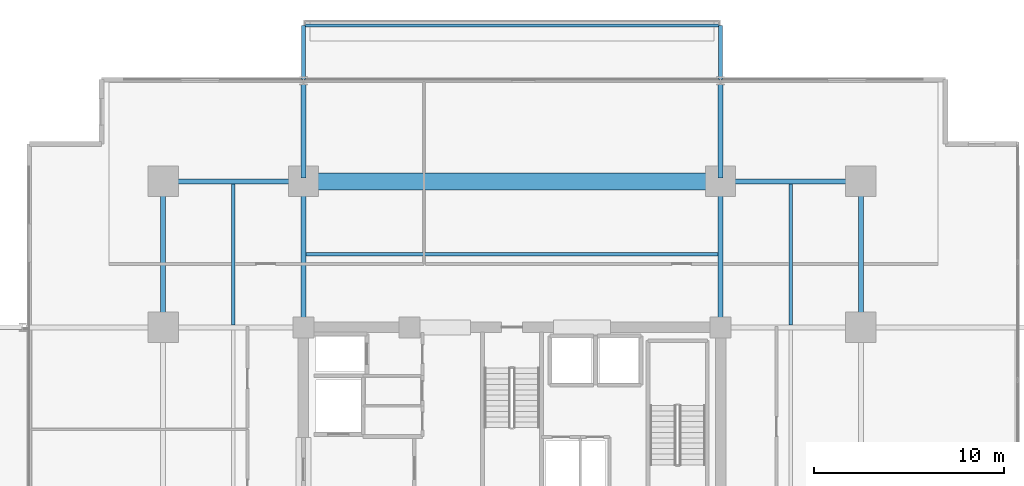
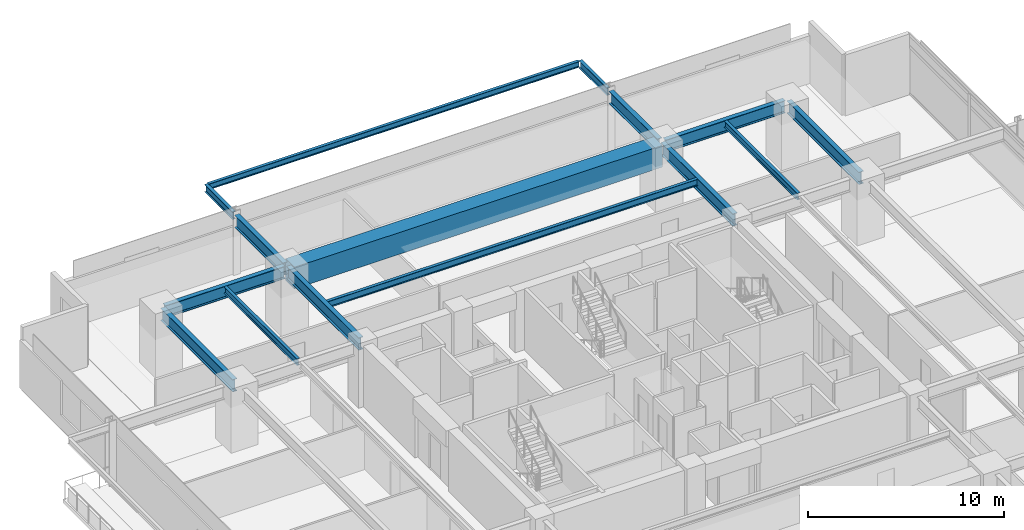
# One storey, part 10 of 20: 15 beams.
"""IFC4 building model written with IfcOpenShell, lengths in metres."""

import ifcopenshell
import ifcopenshell.guid

model = None  # the IFC model being written
_history = None  # IfcOwnerHistory: only IFC2X3 demands one
_inside = {}  # id of a spatial element -> (the spatial element, [elements in it])
_under = {}  # id of a project, library or spatial element -> (it, [spatial elements below it])
_declared = {}  # id of a project -> (the project, [libraries it declares])
_typed = {}  # id of a type object -> (the type object, [elements of that type])
_made_of = {}  # id of a material, layer set ... -> (it, [elements and type objects made of it])


def new_model(schema):
    """Start an empty IFC model of exactly this schema.

    Asked for "IFC4X3", IfcOpenShell would pick the latest addendum, in which some entities
    have other attributes; the version numbers below select the first issue.
    IFC2X3 requires an IfcOwnerHistory on every rooted entity: one is made here for all.
    """
    global model, _history
    if schema == "IFC4X3":
        model = ifcopenshell.file(schema_version=(4, 3, 0, 0))
    else:
        model = ifcopenshell.file(schema=schema)
    _inside.clear()
    _under.clear()
    _declared.clear()
    _typed.clear()
    _made_of.clear()
    _history = None
    if model.schema == "IFC2X3":
        org = make("IfcOrganization", Name="unknown")
        user = make(
            "IfcPersonAndOrganization",
            ThePerson=make("IfcPerson", FamilyName="unknown"),
            TheOrganization=org,
        )
        app = make(
            "IfcApplication",
            ApplicationDeveloper=org,
            Version="unknown",
            ApplicationFullName="unknown",
            ApplicationIdentifier="unknown",
        )
        _history = make(
            "IfcOwnerHistory",
            OwningUser=user,
            OwningApplication=app,
            ChangeAction="ADDED",
            CreationDate=0,
        )
    return model


def make(cls, **values):
    """One entity of the class cls with the attributes given. An attribute that is None is left unset."""
    return model.create_entity(
        cls, **{name: value for name, value in values.items() if value is not None}
    )


def rooted(cls, **values):
    """An entity with a GlobalId (a new one), such as an element, a storey or a relation."""
    return make(cls, GlobalId=ifcopenshell.guid.new(), OwnerHistory=_history, **values)


def si_unit(unit_type, name, prefix=None):
    """IfcSIUnit, for example si_unit("LENGTHUNIT", "METRE", prefix="MILLI")."""
    return make("IfcSIUnit", UnitType=unit_type, Prefix=prefix, Name=name)


def assignment(units):
    """IfcUnitAssignment: the units of a project."""
    return None if units is None else make("IfcUnitAssignment", Units=units)


def point(xyz):
    """IfcCartesianPoint."""
    return None if xyz is None else make("IfcCartesianPoint", Coordinates=xyz)


def direction(xyz):
    """IfcDirection."""
    return None if xyz is None else make("IfcDirection", DirectionRatios=xyz)


def frame(location, z_axis=None, x_axis=None):
    """IfcAxis2Placement3D, a coordinate frame: its origin and axes. An axis left out is left unset."""
    return make(
        "IfcAxis2Placement3D",
        Location=point(location),
        Axis=direction(z_axis),
        RefDirection=direction(x_axis),
    )


def frame_2d(location, x_axis=None):
    """IfcAxis2Placement2D, a coordinate frame in the plane: its origin and x axis."""
    return make(
        "IfcAxis2Placement2D", Location=point(location), RefDirection=direction(x_axis)
    )


def origin():
    """The frame at (0, 0, 0) with its axes left unset."""
    return frame((0.0, 0.0, 0.0))


def origin_2d():
    """The frame at (0, 0) in the plane with its x axis left unset."""
    return frame_2d((0.0, 0.0))


def place(relative_to, where):
    """IfcLocalPlacement: puts the frame where relative to a parent placement (None: the world)."""
    return make(
        "IfcLocalPlacement", PlacementRelTo=relative_to, RelativePlacement=where
    )


def context(
    kind, dimensions, precision=None, world=None, true_north=None, identifier=None
):
    """IfcGeometricRepresentationContext, for example the 3D "Model" context."""
    return make(
        "IfcGeometricRepresentationContext",
        ContextIdentifier=identifier,
        ContextType=kind,
        CoordinateSpaceDimension=dimensions,
        Precision=precision,
        WorldCoordinateSystem=world,
        TrueNorth=true_north,
    )


def subcontext(parent, identifier, kind, view, scale=None):
    """IfcGeometricRepresentationSubContext, for example "Body" below "Model"."""
    return make(
        "IfcGeometricRepresentationSubContext",
        ContextIdentifier=identifier,
        ContextType=kind,
        ParentContext=parent,
        TargetScale=scale,
        TargetView=view,
    )


def project(units=None, contexts=None):
    """IfcProject with its units and contexts."""
    return rooted(
        "IfcProject",
        Name="project",
        RepresentationContexts=contexts,
        UnitsInContext=assignment(units),
    )


def spatial(cls, under=None, at=None, **own):
    """A site, building, storey or space (cls), placed at a placement, below another one or the project."""
    s = rooted(cls, ObjectPlacement=at, **own)
    if under is not None:
        _under.setdefault(under.id(), (under, []))[1].append(s)
    return s


def profile(cls, at=None, kind="AREA", **sizes):
    """A parametric profile (cls). Its sizes go by their IFC names, for example OverallWidth=200.0."""
    return make(cls, ProfileType=kind, Position=at, **sizes)


def rectangle(**sizes):
    """IfcRectangleProfileDef."""
    return profile("IfcRectangleProfileDef", **sizes)


def i_section(**sizes):
    """IfcIShapeProfileDef."""
    return profile("IfcIShapeProfileDef", **sizes)


def extrude(swept, where, along, depth):
    """IfcExtrudedAreaSolid: the profile swept, set in the frame where, extruded along a direction by depth."""
    return make(
        "IfcExtrudedAreaSolid",
        SweptArea=swept,
        Position=where,
        ExtrudedDirection=direction(along),
        Depth=depth,
    )


def shape(context_of_items, identifier, shape_type, items):
    """IfcShapeRepresentation: the items that make up one representation, for example the "Body"."""
    return make(
        "IfcShapeRepresentation",
        ContextOfItems=context_of_items,
        RepresentationIdentifier=identifier,
        RepresentationType=shape_type,
        Items=items,
    )


def material(Name=None, Category=None):
    """IfcMaterial."""
    return make("IfcMaterial", Name=Name, Category=Category)


def material_profile(
    of_material, cross_section, Name=None, Category=None, Priority=None
):
    """IfcMaterialProfile: a cross section and its material."""
    return make(
        "IfcMaterialProfile",
        Name=Name,
        Material=of_material,
        Profile=cross_section,
        Priority=Priority,
        Category=Category,
    )


def profile_set(profiles, Name=None, composite=None):
    """IfcMaterialProfileSet."""
    return make(
        "IfcMaterialProfileSet",
        Name=Name,
        MaterialProfiles=profiles,
        CompositeProfile=composite,
    )


def made_of(thing, what):
    """Note that an element or type object is made of a material, layer set ...; save() writes the relation."""
    if what is not None:
        _made_of.setdefault(what.id(), (what, []))[1].append(thing)
    return thing


def type_object(cls, material=None, **own):
    """A type object (cls), such as IfcWallType, which elements share."""
    return made_of(rooted(cls, **own), material)


def element(
    cls,
    number,
    at=None,
    inside=None,
    cuts=None,
    type_object=None,
    material=None,
    context=None,
    identifier="Body",
    shape_type=None,
    held_by="IfcProductDefinitionShape",
    body=None,
    shapes=None,
    **own,
):
    """One element of the class cls, such as IfcWall. Its Tag is "e" and its number.

    at: its placement. inside: the storey or other place that contains it. cuts: it is an
    opening in that element (IfcRelVoidsElement). A single representation is given by context,
    identifier, shape_type and body (its items); several are given by shapes. held_by: the class
    of the entity that holds the representations. save() writes the other relations.
    """
    e = rooted(cls, Tag="e%d" % number, ObjectPlacement=at, **own)
    if body is not None:
        shapes = [shape(context, identifier, shape_type, body)]
    if shapes is not None:
        e.Representation = make(held_by, Representations=shapes)
    if inside is not None:
        _inside.setdefault(inside.id(), (inside, []))[1].append(e)
    if cuts is not None:
        rooted(
            "IfcRelVoidsElement", RelatingBuildingElement=cuts, RelatedOpeningElement=e
        )
    if type_object is not None:
        _typed.setdefault(type_object.id(), (type_object, []))[1].append(e)
    return made_of(e, material)


def aggregate(whole, parts):
    """IfcRelAggregates: a whole, such as a stair, and the parts it consists of."""
    return rooted("IfcRelAggregates", RelatingObject=whole, RelatedObjects=parts)


def save(model, path):
    """Write the relations noted so far, then the file.

    IfcRelAggregates (storeys below a building ...), IfcRelContainedInSpatialStructure (elements
    in a storey), IfcRelDefinesByType, IfcRelAssociatesMaterial and IfcRelDeclares: one each for
    every whole, place, type object, material and project.
    """
    for whole, parts in _under.values():
        aggregate(whole, parts)
    for where, things in _inside.values():
        rooted(
            "IfcRelContainedInSpatialStructure",
            RelatedElements=things,
            RelatingStructure=where,
        )
    for kind, things in _typed.values():
        rooted("IfcRelDefinesByType", RelatedObjects=things, RelatingType=kind)
    for what, things in _made_of.values():
        rooted("IfcRelAssociatesMaterial", RelatedObjects=things, RelatingMaterial=what)
    for by, libraries in _declared.values():
        rooted("IfcRelDeclares", RelatingContext=by, RelatedDefinitions=libraries)
    model.write(path)


model = new_model("IFC4")

# Units and contexts
model_context = context("Model", 3, precision=1e-05, world=origin(), true_north=direction((0.0, 1.0)))
body_context = subcontext(model_context, "Body", "Model", "MODEL_VIEW")
ifc_project = project(units=[si_unit("LENGTHUNIT", "METRE"), si_unit("AREAUNIT", "SQUARE_METRE"), si_unit("VOLUMEUNIT", "CUBIC_METRE"), si_unit("PLANEANGLEUNIT", "RADIAN"), si_unit("MASSUNIT", "GRAM", prefix="KILO")], contexts=[model_context])

# Site, building, storey
site_placement = place(None, origin())
site = spatial("IfcSite", under=ifc_project, at=site_placement, CompositionType="ELEMENT")
building_placement = place(site_placement, origin())
building = spatial("IfcBuilding", under=site, at=building_placement, Name="Kovane Verandah Tower", CompositionType="ELEMENT")
storey_placement = place(building_placement, frame((0.0, 0.0, 160.39990234375)))
storey = spatial("IfcBuildingStorey", under=building, at=storey_placement, Name="L37", CompositionType="ELEMENT", Elevation=160.39990234375)

# Beams
ifc_material_1 = material(Name="Concrete C80/95", Category="concrete")
ifc_material_profile_1 = material_profile(ifc_material_1, rectangle(XDim=0.89990234375, YDim=1.35009765625, at=origin_2d()), Name="RCB900x1350")
ifc_profile_set_1 = profile_set([ifc_material_profile_1], Name="Concrete C80/95")
beam_type_1 = type_object("IfcBeamType", Name="BM-TR-900x1350", PredefinedType="BEAM", material=ifc_profile_set_1)
beam_1_placement = place(storey_placement, frame((29.179931640625, 44.199951171875, 3.10009765625), z_axis=(1.0, 0.0, 0.0), x_axis=(0.0, 1.0, 0.0)))
element("IfcBeam", 1, at=beam_1_placement, inside=storey, type_object=beam_type_1, Name="L37 Primary Tower Girder G-RN2", PredefinedType="BEAM", context=body_context, shape_type="SweptSolid", body=[
    extrude(rectangle(XDim=0.89990234375, YDim=1.35009765625, at=origin_2d()), origin(), (0.0, 0.0, 1.0), 21.64013671875),
])
ifc_material_2 = material(Name="Steel S355", Category="steel")
ifc_material_profile_2 = material_profile(ifc_material_2, i_section(OverallWidth=0.26806640625, OverallDepth=0.769775390625, WebThickness=0.015625, FlangeThickness=0.025390625, FilletRadius=0.0166015625, at=origin_2d()), Name="UB762x267x197")
ifc_profile_set_2 = profile_set([ifc_material_profile_2], Name="Steel S355")
beam_type_2 = type_object("IfcBeamType", Name="BM-UB762x197", PredefinedType="BEAM", material=ifc_profile_set_2)
for number, where, z_axis, x_axis, name in (
    (2, (21.780029296875, 44.199951171875, 3.39013671875), (1.0, 0.0, 0.0), (0.0, 1.0, 0.0), "L37 Primary Tower Girder G-RN1"),
    (3, (51.179931640625, 44.199951171875, 3.39013671875), (1.0, 0.0, 0.0), (0.0, 1.0, 0.0), "L37 Primary Tower Girder G-RN3"),
):
    element("IfcBeam", number, at=place(storey_placement, frame(where, z_axis=z_axis, x_axis=x_axis)), inside=storey, type_object=beam_type_2, Name=name, PredefinedType="BEAM", context=body_context, shape_type="SweptSolid", body=[
        extrude(i_section(OverallWidth=0.26806640625, OverallDepth=0.769775390625, WebThickness=0.015625, FlangeThickness=0.025390625, FilletRadius=0.0166015625, at=origin_2d()), origin(), (0.0, 0.0, 1.0), 7.0400390625),
    ])
for number, where, z_axis, x_axis, name in (
    (4, (21.60009765625, 36.679931640625, 3.39013671875), (0.0, 1.0, 0.0), (-1.0, 0.0, 0.0), "L37 Primary Tower Girder G-RW3"),
    (5, (58.39990234375, 36.679931640625, 3.39013671875), (0.0, 1.0, 0.0), (-1.0, 0.0, 0.0), "L37 Primary Tower Girder G-RE3"),
    (6, (29.0, 36.679931640625, 3.39013671875), (0.0, 1.0, 0.0), (-1.0, 0.0, 0.0), "L37 Primary Tower Girder G-N1"),
    (7, (51.0, 36.679931640625, 3.39013671875), (0.0, 1.0, 0.0), (-1.0, 0.0, 0.0), "L37 Primary Tower Girder G-N2"),
):
    element("IfcBeam", number, at=place(storey_placement, frame(where, z_axis=z_axis, x_axis=x_axis)), inside=storey, type_object=beam_type_2, Name=name, PredefinedType="BEAM", context=body_context, shape_type="SweptSolid", body=[
        extrude(i_section(OverallWidth=0.26806640625, OverallDepth=0.769775390625, WebThickness=0.015625, FlangeThickness=0.025390625, FilletRadius=0.0166015625, at=origin_2d()), origin(), (0.0, 0.0, 1.0), 7.340087890625),
    ])
for number, where, z_axis, x_axis, name in (
    (8, (29.0, 44.3798828125, 3.375244140625), (0.0, 1.0, 0.0), (-1.0, 0.0, 0.0), "L37 Primary Tower Girder G-VN1"),
    (9, (51.0, 44.3798828125, 3.375244140625), (0.0, 1.0, 0.0), (-1.0, 0.0, 0.0), "L37 Primary Tower Girder G-VN2"),
):
    element("IfcBeam", number, at=place(storey_placement, frame(where, z_axis=z_axis, x_axis=x_axis)), inside=storey, type_object=beam_type_2, Name=name, PredefinedType="BEAM", context=body_context, shape_type="SweptSolid", body=[
        extrude(i_section(OverallWidth=0.26806640625, OverallDepth=0.769775390625, WebThickness=0.015625, FlangeThickness=0.025390625, FilletRadius=0.0166015625, at=origin_2d()), origin(), (0.0, 0.0, 1.0), 4.940185546875),
    ])
ifc_material_profile_3 = material_profile(ifc_material_2, i_section(OverallWidth=0.179443359375, OverallDepth=0.412841796875, WebThickness=0.009521484375, FlangeThickness=0.01611328125, FilletRadius=0.01025390625, at=origin_2d()), Name="UB406x178x74")
ifc_profile_set_3 = profile_set([ifc_material_profile_3], Name="Steel S355")
beam_type_3 = type_object("IfcBeamType", Name="JST-UB406x74", PredefinedType="JOIST", material=ifc_profile_set_3)
beam_2_placement = place(storey_placement, frame((29.132080078125, 40.35009765625, 3.568603515625), z_axis=(1.0, 0.0, 0.0), x_axis=(0.0, 1.0, 0.0)))
element("IfcBeam", 10, at=beam_2_placement, inside=storey, type_object=beam_type_3, Name="L37 Secondary Composite Joist J-N1", PredefinedType="JOIST", context=body_context, shape_type="SweptSolid", body=[
    extrude(i_section(OverallWidth=0.179443359375, OverallDepth=0.412841796875, WebThickness=0.009521484375, FlangeThickness=0.01611328125, FilletRadius=0.01025390625, at=origin_2d()), origin(), (0.0, 0.0, 1.0), 21.73583984375),
])
for number, where, z_axis, x_axis, name in (
    (11, (25.300048828125, 36.632080078125, 3.568603515625), (0.0, 1.0, 0.0), (-1.0, 0.0, 0.0), "L37 Secondary Composite Joist J-NW1"),
    (12, (54.699951171875, 36.632080078125, 3.568603515625), (0.0, 1.0, 0.0), (-1.0, 0.0, 0.0), "L37 Secondary Composite Joist J-NE1"),
):
    element("IfcBeam", number, at=place(storey_placement, frame(where, z_axis=z_axis, x_axis=x_axis)), inside=storey, type_object=beam_type_3, Name=name, PredefinedType="JOIST", context=body_context, shape_type="SweptSolid", body=[
        extrude(i_section(OverallWidth=0.179443359375, OverallDepth=0.412841796875, WebThickness=0.009521484375, FlangeThickness=0.01611328125, FilletRadius=0.01025390625, at=origin_2d()), origin(), (0.0, 0.0, 1.0), 7.43603515625),
    ])
ifc_material_profile_4 = material_profile(ifc_material_2, i_section(OverallWidth=0.19287109375, OverallDepth=0.46728515625, WebThickness=0.011474609375, FlangeThickness=0.01953125, FilletRadius=0.01025390625, at=origin_2d()), Name="UB457x191x98")
ifc_profile_set_4 = profile_set([ifc_material_profile_4], Name="Steel S355")
beam_type_4 = type_object("IfcBeamType", Name="JST-UB457x98", PredefinedType="JOIST", material=ifc_profile_set_4)
for number, where, z_axis, x_axis, name in (
    (13, (29.0, 49.580078125, 3.526611328125), (0.0, 1.0, 0.0), (-1.0, 0.0, 0.0), "L37 North Planter Girder 1"),
    (14, (51.0, 49.580078125, 3.526611328125), (0.0, 1.0, 0.0), (-1.0, 0.0, 0.0), "L37 North Planter Girder 2"),
):
    element("IfcBeam", number, at=place(storey_placement, frame(where, z_axis=z_axis, x_axis=x_axis)), inside=storey, type_object=beam_type_4, Name=name, PredefinedType="JOIST", context=body_context, shape_type="SweptSolid", body=[
        extrude(i_section(OverallWidth=0.19287109375, OverallDepth=0.46728515625, WebThickness=0.011474609375, FlangeThickness=0.01953125, FilletRadius=0.01025390625, at=origin_2d()), origin(), (0.0, 0.0, 1.0), 2.843017578125),
    ])
ifc_material_profile_5 = material_profile(ifc_material_2, i_section(OverallWidth=0.173095703125, OverallDepth=0.36328125, WebThickness=0.009033203125, FlangeThickness=0.015625, FilletRadius=0.01025390625, at=origin_2d()), Name="UB356x171x67")
ifc_profile_set_5 = profile_set([ifc_material_profile_5], Name="Steel S355")
beam_type_5 = type_object("IfcBeamType", Name="SPD-UB356x67", PredefinedType="USERDEFINED", material=ifc_profile_set_5)
beam_3_placement = place(storey_placement, frame((29.094482421875, 52.423095703125, 3.578369140625), z_axis=(1.0, 0.0, 0.0), x_axis=(0.0, 1.0, 0.0)))
element("IfcBeam", 15, at=beam_3_placement, inside=storey, type_object=beam_type_5, Name="L37 North Planter Edge Spandrel", ObjectType="SPANDREL", PredefinedType="USERDEFINED", context=body_context, shape_type="SweptSolid", body=[
    extrude(i_section(OverallWidth=0.173095703125, OverallDepth=0.36328125, WebThickness=0.009033203125, FlangeThickness=0.015625, FilletRadius=0.01025390625, at=origin_2d()), origin(), (0.0, 0.0, 1.0), 21.81103515625),
])

save(model, "model.ifc")
